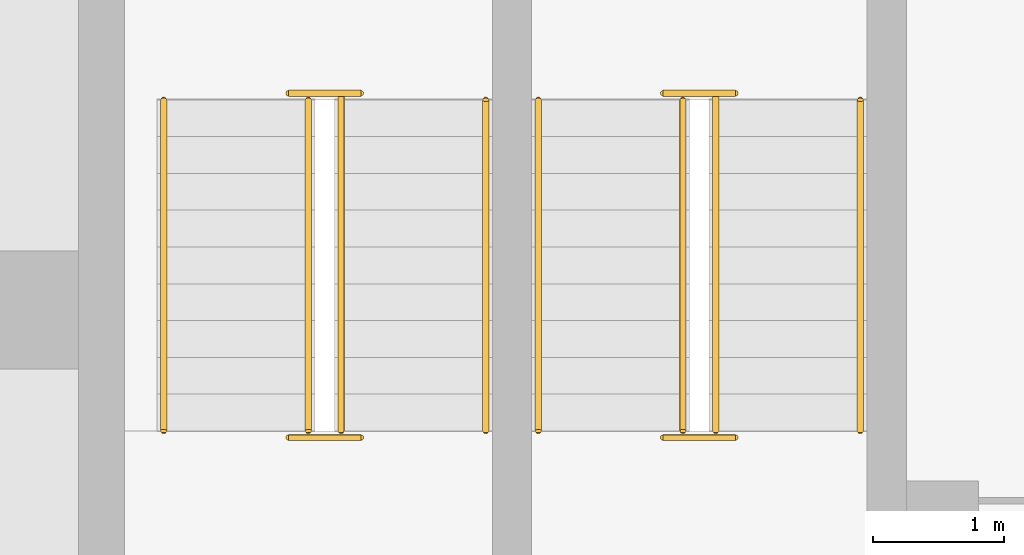
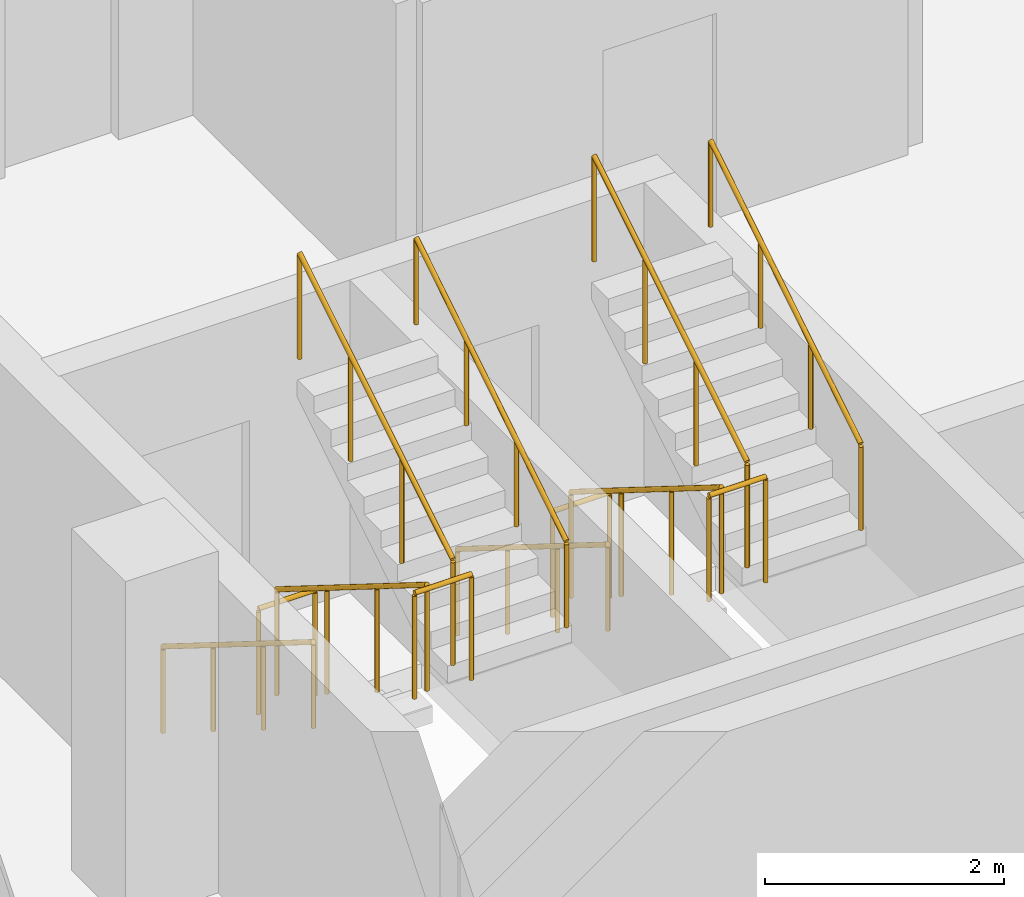
# One storey, part 19 of 19: 12 railings.
"""IFC4 building model written with IfcOpenShell, lengths in metres."""

from ifc_helpers import new_model, si_unit, direction, frame, origin, origin_2d, place, context, subcontext, project, spatial, circle, extrude, material, type_object, element, save


model = new_model("IFC4")

# Units and contexts
model_context = context("Model", 3, precision=1e-05, world=origin(), true_north=direction((0.0, 1.0)))
body_context = subcontext(model_context, "Body", "Model", "MODEL_VIEW")
ifc_project = project(units=[si_unit("LENGTHUNIT", "METRE"), si_unit("AREAUNIT", "SQUARE_METRE"), si_unit("VOLUMEUNIT", "CUBIC_METRE"), si_unit("PLANEANGLEUNIT", "RADIAN"), si_unit("MASSUNIT", "GRAM", prefix="KILO")], contexts=[model_context])

# Site, building, storey
site_placement = place(None, origin())
site = spatial("IfcSite", under=ifc_project, at=site_placement, CompositionType="ELEMENT")
building_placement = place(site_placement, origin())
building = spatial("IfcBuilding", under=site, at=building_placement, Name="Plateau Cross Towers", CompositionType="ELEMENT")
storey_placement = place(building_placement, frame((0.0, 0.0, 120.300048828125)))
storey = spatial("IfcBuildingStorey", under=building, at=storey_placement, Name="L31", CompositionType="ELEMENT", Elevation=120.300048828125)

# Railings
ifc_material_1 = material(Name="Stainless steel and toughened glass", Category="steel")
railing_type_1 = type_object("IfcRailingType", Name="RL-GUARD-1100", PredefinedType="GUARDRAIL", material=ifc_material_1)
railing_1_placement = place(storey_placement, frame((76.75, 6.10009765625, 0.175048828125)))
element("IfcRailing", 1, at=railing_1_placement, inside=storey, type_object=railing_type_1, Name="L31 SB-1 stair guard 1", PredefinedType="GUARDRAIL", context=body_context, shape_type="SweptSolid", body=[
    extrude(circle(Radius=0.02392578125, at=origin_2d()), frame((0.0, 0.0, 1.076171875), z_axis=(0.0, -0.848007534815, 0.529984170421), x_axis=(1.0, 0.0, 0.0)), (0.0, 0.0, 1.0), 2.9716796875),
    extrude(circle(Radius=0.02099609375, at=origin_2d()), origin(), (0.0, 0.0, 1.0), 1.052001953125),
    extrude(circle(Radius=0.02099609375, at=origin_2d()), frame((0.0, -0.840087890625, 0.52490234375)), (0.0, 0.0, 1.0), 1.052001953125),
    extrude(circle(Radius=0.02099609375, at=origin_2d()), frame((0.0, -1.679931640625, 1.050048828125)), (0.0, 0.0, 1.0), 1.052001953125),
    extrude(circle(Radius=0.02099609375, at=origin_2d()), frame((0.0, -2.52001953125, 1.574951171875)), (0.0, 0.0, 1.0), 1.052001953125),
])
railing_2_placement = place(storey_placement, frame((76.60009765625, 3.530029296875, 1.75)))
element("IfcRailing", 2, at=railing_2_placement, inside=storey, type_object=railing_type_1, Name="L31 SB-1 stair guard 2", PredefinedType="GUARDRAIL", context=body_context, shape_type="SweptSolid", body=[
    extrude(circle(Radius=0.02392578125, at=origin_2d()), frame((0.0, 0.0, 1.076171875), z_axis=(1.0, 0.0, 0.0), x_axis=(0.0, 1.0, 0.0)), (0.0, 0.0, 1.0), 0.5498046875),
    extrude(circle(Radius=0.02099609375, at=origin_2d()), origin(), (0.0, 0.0, 1.0), 1.052001953125),
    extrude(circle(Radius=0.02099609375, at=origin_2d()), frame((0.5498046875, 0.0, 0.0)), (0.0, 0.0, 1.0), 1.052001953125),
])
railing_3_placement = place(storey_placement, frame((77.0, 3.580078125, 1.925048828125)))
element("IfcRailing", 3, at=railing_3_placement, inside=storey, type_object=railing_type_1, Name="L31 SB-1 stair guard 3", PredefinedType="GUARDRAIL", context=body_context, shape_type="SweptSolid", body=[
    extrude(circle(Radius=0.02392578125, at=origin_2d()), frame((0.0, 0.0, 1.076171875), z_axis=(0.0, 0.852616386126, 0.522537365276), x_axis=(-1.0, 0.0, 0.0)), (0.0, 0.0, 1.0), 3.01416015625),
    extrude(circle(Radius=0.02099609375, at=origin_2d()), origin(), (0.0, 0.0, 1.0), 1.052001953125),
    extrude(circle(Radius=0.02099609375, at=origin_2d()), frame((0.0, 0.856689453125, 0.52490234375)), (0.0, 0.0, 1.0), 1.052001953125),
    extrude(circle(Radius=0.02099609375, at=origin_2d()), frame((0.0, 1.713134765625, 1.050048828125)), (0.0, 0.0, 1.0), 1.052001953125),
    extrude(circle(Radius=0.02099609375, at=origin_2d()), frame((0.0, 2.56982421875, 1.574951171875)), (0.0, 0.0, 1.0), 1.052001953125),
])
railing_4_placement = place(storey_placement, frame((76.60009765625, 6.14990234375, 0.0)))
element("IfcRailing", 4, at=railing_4_placement, inside=storey, type_object=railing_type_1, Name="L31 SB-1 stair guard 4", PredefinedType="GUARDRAIL", context=body_context, shape_type="SweptSolid", body=[
    extrude(circle(Radius=0.02392578125, at=origin_2d()), frame((0.0, 0.0, 1.076171875), z_axis=(1.0, 0.0, 0.0), x_axis=(0.0, 1.0, 0.0)), (0.0, 0.0, 1.0), 0.5498046875),
    extrude(circle(Radius=0.02099609375, at=origin_2d()), origin(), (0.0, 0.0, 1.0), 1.052001953125),
    extrude(circle(Radius=0.02099609375, at=origin_2d()), frame((0.5498046875, 0.0, 0.0)), (0.0, 0.0, 1.0), 1.052001953125),
])
railing_5_placement = place(storey_placement, frame((79.60009765625, 6.10009765625, 0.175048828125)))
element("IfcRailing", 5, at=railing_5_placement, inside=storey, type_object=railing_type_1, Name="L31 SB-2 stair guard 1", PredefinedType="GUARDRAIL", context=body_context, shape_type="SweptSolid", body=[
    extrude(circle(Radius=0.02392578125, at=origin_2d()), frame((0.0, 0.0, 1.076171875), z_axis=(0.0, -0.848007534815, 0.529984170421), x_axis=(1.0, 0.0, 0.0)), (0.0, 0.0, 1.0), 2.9716796875),
    extrude(circle(Radius=0.02099609375, at=origin_2d()), origin(), (0.0, 0.0, 1.0), 1.052001953125),
    extrude(circle(Radius=0.02099609375, at=origin_2d()), frame((0.0, -0.840087890625, 0.52490234375)), (0.0, 0.0, 1.0), 1.052001953125),
    extrude(circle(Radius=0.02099609375, at=origin_2d()), frame((0.0, -1.679931640625, 1.050048828125)), (0.0, 0.0, 1.0), 1.052001953125),
    extrude(circle(Radius=0.02099609375, at=origin_2d()), frame((0.0, -2.52001953125, 1.574951171875)), (0.0, 0.0, 1.0), 1.052001953125),
])
railing_6_placement = place(storey_placement, frame((79.449951171875, 3.530029296875, 1.75)))
element("IfcRailing", 6, at=railing_6_placement, inside=storey, type_object=railing_type_1, Name="L31 SB-2 stair guard 2", PredefinedType="GUARDRAIL", context=body_context, shape_type="SweptSolid", body=[
    extrude(circle(Radius=0.02392578125, at=origin_2d()), frame((0.0, 0.0, 1.076171875), z_axis=(1.0, 0.0, 0.0), x_axis=(0.0, 1.0, 0.0)), (0.0, 0.0, 1.0), 0.550048828125),
    extrude(circle(Radius=0.02099609375, at=origin_2d()), origin(), (0.0, 0.0, 1.0), 1.052001953125),
    extrude(circle(Radius=0.02099609375, at=origin_2d()), frame((0.550048828125, 0.0, 0.0)), (0.0, 0.0, 1.0), 1.052001953125),
])
railing_7_placement = place(storey_placement, frame((79.85009765625, 3.580078125, 1.925048828125)))
element("IfcRailing", 7, at=railing_7_placement, inside=storey, type_object=railing_type_1, Name="L31 SB-2 stair guard 3", PredefinedType="GUARDRAIL", context=body_context, shape_type="SweptSolid", body=[
    extrude(circle(Radius=0.02392578125, at=origin_2d()), frame((0.0, 0.0, 1.076171875), z_axis=(0.0, 0.852616386126, 0.522537365276), x_axis=(-1.0, 0.0, 0.0)), (0.0, 0.0, 1.0), 3.01416015625),
    extrude(circle(Radius=0.02099609375, at=origin_2d()), origin(), (0.0, 0.0, 1.0), 1.052001953125),
    extrude(circle(Radius=0.02099609375, at=origin_2d()), frame((0.0, 0.856689453125, 0.52490234375)), (0.0, 0.0, 1.0), 1.052001953125),
    extrude(circle(Radius=0.02099609375, at=origin_2d()), frame((0.0, 1.713134765625, 1.050048828125)), (0.0, 0.0, 1.0), 1.052001953125),
    extrude(circle(Radius=0.02099609375, at=origin_2d()), frame((0.0, 2.56982421875, 1.574951171875)), (0.0, 0.0, 1.0), 1.052001953125),
])
railing_8_placement = place(storey_placement, frame((79.449951171875, 6.14990234375, 0.0)))
element("IfcRailing", 8, at=railing_8_placement, inside=storey, type_object=railing_type_1, Name="L31 SB-2 stair guard 4", PredefinedType="GUARDRAIL", context=body_context, shape_type="SweptSolid", body=[
    extrude(circle(Radius=0.02392578125, at=origin_2d()), frame((0.0, 0.0, 1.076171875), z_axis=(1.0, 0.0, 0.0), x_axis=(0.0, 1.0, 0.0)), (0.0, 0.0, 1.0), 0.550048828125),
    extrude(circle(Radius=0.02099609375, at=origin_2d()), origin(), (0.0, 0.0, 1.0), 1.052001953125),
    extrude(circle(Radius=0.02099609375, at=origin_2d()), frame((0.550048828125, 0.0, 0.0)), (0.0, 0.0, 1.0), 1.052001953125),
])
ifc_material_2 = material(Name="Black anodised aluminium", Category="aluminium")
railing_type_2 = type_object("IfcRailingType", Name="RL-HANDRAIL-900", PredefinedType="HANDRAIL", material=ifc_material_2)
railing_9_placement = place(storey_placement, frame((75.64990234375, 6.10009765625, 0.175048828125)))
element("IfcRailing", 9, at=railing_9_placement, inside=storey, type_object=railing_type_2, Name="L31 SB-1 stair handrail 1", PredefinedType="HANDRAIL", context=body_context, shape_type="SweptSolid", body=[
    extrude(circle(Radius=0.02392578125, at=origin_2d()), frame((0.0, 0.0, 0.8759765625), z_axis=(0.0, -0.848007534815, 0.529984170421), x_axis=(1.0, 0.0, 0.0)), (0.0, 0.0, 1.0), 2.9716796875),
    extrude(circle(Radius=0.02099609375, at=origin_2d()), origin(), (0.0, 0.0, 1.0), 0.851806640625),
    extrude(circle(Radius=0.02099609375, at=origin_2d()), frame((0.0, -0.840087890625, 0.52490234375)), (0.0, 0.0, 1.0), 0.851806640625),
    extrude(circle(Radius=0.02099609375, at=origin_2d()), frame((0.0, -1.679931640625, 1.050048828125)), (0.0, 0.0, 1.0), 0.851806640625),
    extrude(circle(Radius=0.02099609375, at=origin_2d()), frame((0.0, -2.52001953125, 1.574951171875)), (0.0, 0.0, 1.0), 0.851806640625),
])
railing_10_placement = place(storey_placement, frame((78.10009765625, 3.580078125, 1.925048828125)))
element("IfcRailing", 10, at=railing_10_placement, inside=storey, type_object=railing_type_2, Name="L31 SB-1 stair handrail 2", PredefinedType="HANDRAIL", context=body_context, shape_type="SweptSolid", body=[
    extrude(circle(Radius=0.02392578125, at=origin_2d()), frame((0.0, 0.0, 0.8759765625), z_axis=(0.0, 0.848007534815, 0.529984170421), x_axis=(-1.0, 0.0, 0.0)), (0.0, 0.0, 1.0), 2.9716796875),
    extrude(circle(Radius=0.02099609375, at=origin_2d()), origin(), (0.0, 0.0, 1.0), 0.851806640625),
    extrude(circle(Radius=0.02099609375, at=origin_2d()), frame((0.0, 0.840087890625, 0.52490234375)), (0.0, 0.0, 1.0), 0.851806640625),
    extrude(circle(Radius=0.02099609375, at=origin_2d()), frame((0.0, 1.679931640625, 1.050048828125)), (0.0, 0.0, 1.0), 0.851806640625),
    extrude(circle(Radius=0.02099609375, at=origin_2d()), frame((0.0, 2.52001953125, 1.574951171875)), (0.0, 0.0, 1.0), 0.851806640625),
])
railing_11_placement = place(storey_placement, frame((78.5, 6.10009765625, 0.175048828125)))
element("IfcRailing", 11, at=railing_11_placement, inside=storey, type_object=railing_type_2, Name="L31 SB-2 stair handrail 1", PredefinedType="HANDRAIL", context=body_context, shape_type="SweptSolid", body=[
    extrude(circle(Radius=0.02392578125, at=origin_2d()), frame((0.0, 0.0, 0.8759765625), z_axis=(0.0, -0.848007534815, 0.529984170421), x_axis=(1.0, 0.0, 0.0)), (0.0, 0.0, 1.0), 2.9716796875),
    extrude(circle(Radius=0.02099609375, at=origin_2d()), origin(), (0.0, 0.0, 1.0), 0.851806640625),
    extrude(circle(Radius=0.02099609375, at=origin_2d()), frame((0.0, -0.840087890625, 0.52490234375)), (0.0, 0.0, 1.0), 0.851806640625),
    extrude(circle(Radius=0.02099609375, at=origin_2d()), frame((0.0, -1.679931640625, 1.050048828125)), (0.0, 0.0, 1.0), 0.851806640625),
    extrude(circle(Radius=0.02099609375, at=origin_2d()), frame((0.0, -2.52001953125, 1.574951171875)), (0.0, 0.0, 1.0), 0.851806640625),
])
railing_12_placement = place(storey_placement, frame((80.949951171875, 3.580078125, 1.925048828125)))
element("IfcRailing", 12, at=railing_12_placement, inside=storey, type_object=railing_type_2, Name="L31 SB-2 stair handrail 2", PredefinedType="HANDRAIL", context=body_context, shape_type="SweptSolid", body=[
    extrude(circle(Radius=0.02392578125, at=origin_2d()), frame((0.0, 0.0, 0.8759765625), z_axis=(0.0, 0.848007534815, 0.529984170421), x_axis=(-1.0, 0.0, 0.0)), (0.0, 0.0, 1.0), 2.9716796875),
    extrude(circle(Radius=0.02099609375, at=origin_2d()), origin(), (0.0, 0.0, 1.0), 0.851806640625),
    extrude(circle(Radius=0.02099609375, at=origin_2d()), frame((0.0, 0.840087890625, 0.52490234375)), (0.0, 0.0, 1.0), 0.851806640625),
    extrude(circle(Radius=0.02099609375, at=origin_2d()), frame((0.0, 1.679931640625, 1.050048828125)), (0.0, 0.0, 1.0), 0.851806640625),
    extrude(circle(Radius=0.02099609375, at=origin_2d()), frame((0.0, 2.52001953125, 1.574951171875)), (0.0, 0.0, 1.0), 0.851806640625),
])

save(model, "model.ifc")
